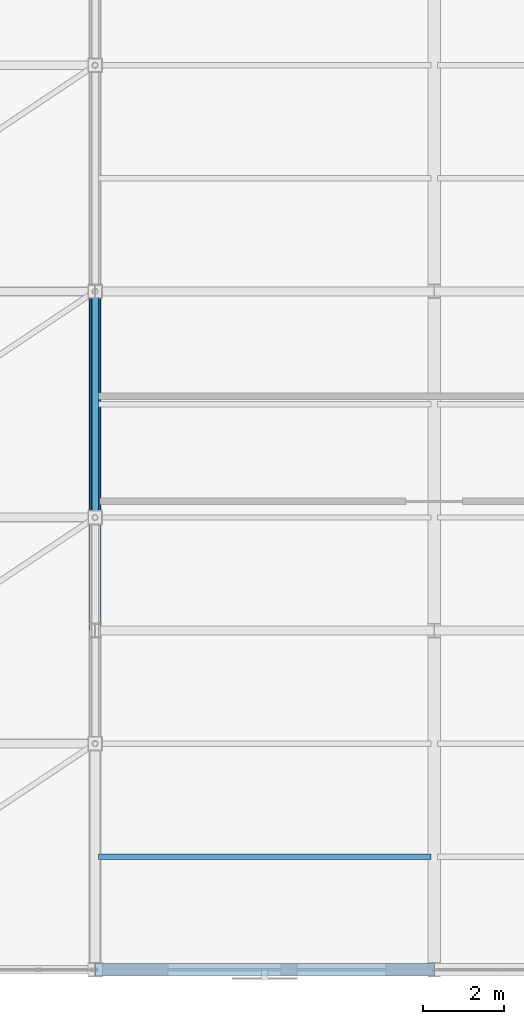
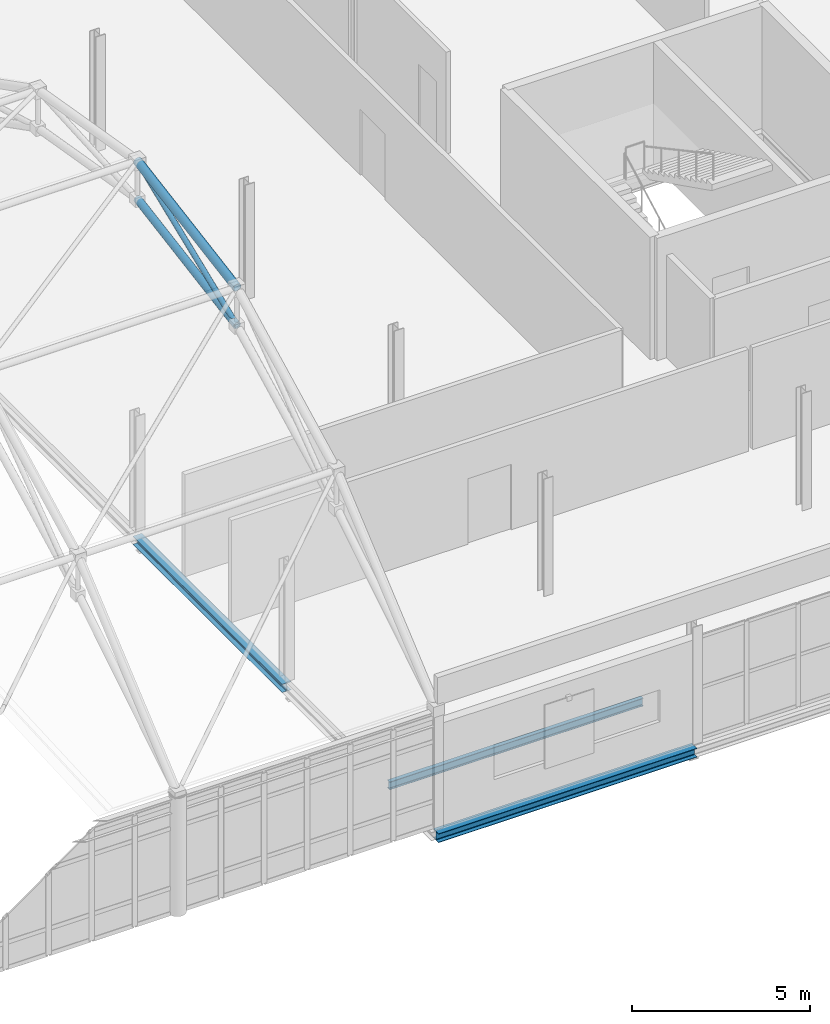
# One storey, part 84 of 184: 3 beams, 3 members.
"""IFC4 building model written with IfcOpenShell, lengths in metres."""

from ifc_helpers import new_model, si_unit, direction, frame, origin, origin_2d, place, context, subcontext, project, spatial, hollow_circle, i_section, extrude, material, material_profile, profile_set, type_object, element, save


model = new_model("IFC4")

# Units and contexts
model_context = context("Model", 3, precision=1e-05, world=origin(), true_north=direction((0.0, 1.0)))
body_context = subcontext(model_context, "Body", "Model", "MODEL_VIEW")
ifc_project = project(units=[si_unit("LENGTHUNIT", "METRE"), si_unit("AREAUNIT", "SQUARE_METRE"), si_unit("VOLUMEUNIT", "CUBIC_METRE"), si_unit("PLANEANGLEUNIT", "RADIAN"), si_unit("MASSUNIT", "GRAM", prefix="KILO")], contexts=[model_context])

# Site, building, storey
site_placement = place(None, origin())
site = spatial("IfcSite", under=ifc_project, at=site_placement, CompositionType="ELEMENT")
building_placement = place(site_placement, origin())
building = spatial("IfcBuilding", under=site, at=building_placement, Name="Qalvenar Corner Mobility Hub", CompositionType="ELEMENT")
storey_placement = place(building_placement, frame((0.0, 0.0, 9.0)))
storey = spatial("IfcBuildingStorey", under=building, at=storey_placement, Name="L02", CompositionType="ELEMENT", Elevation=9.0)

# Beams
ifc_material_1 = material(Name="Steel S355", Category="steel")
ifc_material_profile_1 = material_profile(ifc_material_1, i_section(OverallWidth=0.135009765625, OverallDepth=0.27001953125, WebThickness=0.006591796875, FlangeThickness=0.01025390625, FilletRadius=0.014892578125, at=origin_2d()), Name="IPE270")
ifc_profile_set_1 = profile_set([ifc_material_profile_1], Name="Steel S355")
beam_type_1 = type_object("IfcBeamType", Name="BM-JST270", PredefinedType="JOIST", material=ifc_profile_set_1)
beam_1_placement = place(storey_placement, frame((109.278076171875, 2.800048828125, -0.31494140625), z_axis=(1.0, 0.0, 0.0), x_axis=(0.0, 1.0, 0.0)))
element("IfcBeam", 1, at=beam_1_placement, inside=storey, type_object=beam_type_1, Name="Composite Floor Joist J-1751", PredefinedType="JOIST", context=body_context, shape_type="SweptSolid", body=[
    extrude(i_section(OverallWidth=0.135009765625, OverallDepth=0.27001953125, WebThickness=0.006591796875, FlangeThickness=0.01025390625, FilletRadius=0.014892578125, at=origin_2d()), origin(), (0.0, 0.0, 1.0), 8.243896484375),
])
ifc_material_profile_2 = material_profile(ifc_material_1, i_section(OverallWidth=0.300048828125, OverallDepth=0.2900390625, WebThickness=0.008544921875, FlangeThickness=0.013916015625, FilletRadius=0.027099609375, at=origin_2d()), Name="HEA300")
ifc_profile_set_2 = profile_set([ifc_material_profile_2], Name="Steel S355")
beam_type_2 = type_object("IfcBeamType", Name="BM-SPN300", PredefinedType="SPANDREL", material=ifc_profile_set_2)
beam_2_placement = place(storey_placement, frame((109.199951171875, 8.39990234375, -0.324951171875), z_axis=(0.0, 1.0, 0.0), x_axis=(-1.0, 0.0, 0.0)))
element("IfcBeam", 2, at=beam_2_placement, inside=storey, type_object=beam_type_2, Name="Primary Steel Girder GY-1712", PredefinedType="SPANDREL", context=body_context, shape_type="SweptSolid", body=[
    extrude(i_section(OverallWidth=0.300048828125, OverallDepth=0.2900390625, WebThickness=0.008544921875, FlangeThickness=0.013916015625, FilletRadius=0.027099609375, at=origin_2d()), origin(), (0.0, 0.0, 1.0), 8.400146484375),
])
ifc_material_profile_3 = material_profile(ifc_material_1, i_section(OverallWidth=0.300048828125, OverallDepth=0.31005859375, WebThickness=0.009033203125, FlangeThickness=0.015380859375, FilletRadius=0.027099609375, at=origin_2d()), Name="HEA320")
ifc_profile_set_3 = profile_set([ifc_material_profile_3], Name="Steel S355")
beam_type_3 = type_object("IfcBeamType", Name="BM-SPN320", PredefinedType="SPANDREL", material=ifc_profile_set_3)
beam_3_placement = place(storey_placement, frame((109.199951171875, 0.0, -0.3349609375), z_axis=(1.0, 0.0, 0.0), x_axis=(0.0, 1.0, 0.0)))
element("IfcBeam", 3, at=beam_3_placement, inside=storey, type_object=beam_type_3, Name="Primary Steel Girder GX-1669", PredefinedType="SPANDREL", context=body_context, shape_type="SweptSolid", body=[
    extrude(i_section(OverallWidth=0.300048828125, OverallDepth=0.31005859375, WebThickness=0.009033203125, FlangeThickness=0.015380859375, FilletRadius=0.027099609375, at=origin_2d()), origin(), (0.0, 0.0, 1.0), 8.400146484375),
])

# Members
ifc_material_2 = material(Name="Steel S355", Category="steel")
ifc_material_profile_4 = material_profile(ifc_material_2, hollow_circle(Radius=0.122314453125, WallThickness=0.0087890625, at=origin_2d()), Name="CHS244.5x8.8")
ifc_profile_set_4 = profile_set([ifc_material_profile_4], Name="Steel S355")
member_type_1 = type_object("IfcMemberType", Name="SF-CHD244", PredefinedType="CHORD", material=ifc_profile_set_4)
member_1_placement = place(storey_placement, frame((109.199951171875, 11.199951171875, 10.404296875), z_axis=(0.0, 0.985745292256, 0.168244520847), x_axis=(-1.0, 0.0, 0.0)))
element("IfcMember", 4, at=member_1_placement, inside=storey, type_object=member_type_1, Name="Space Frame Bottom Chord SFBC-0154", PredefinedType="CHORD", context=body_context, shape_type="SweptSolid", body=[
    extrude(hollow_circle(Radius=0.122314453125, WallThickness=0.0087890625, at=origin_2d()), origin(), (0.0, 0.0, 1.0), 5.68115234375),
])
ifc_material_profile_5 = material_profile(ifc_material_2, hollow_circle(Radius=0.136474609375, WallThickness=0.010009765625, at=origin_2d()), Name="CHS273x10")
ifc_profile_set_5 = profile_set([ifc_material_profile_5], Name="Steel S355")
member_type_2 = type_object("IfcMemberType", Name="SF-CHD273", PredefinedType="CHORD", material=ifc_profile_set_5)
member_2_placement = place(storey_placement, frame((109.199951171875, 11.199951171875, 11.704345703125), z_axis=(0.0, 0.985752418555, 0.1682027625), x_axis=(-1.0, 0.0, 0.0)))
element("IfcMember", 5, at=member_2_placement, inside=storey, type_object=member_type_2, Name="Space Frame Top Chord SFTC-0153", PredefinedType="CHORD", context=body_context, shape_type="SweptSolid", body=[
    extrude(hollow_circle(Radius=0.136474609375, WallThickness=0.010009765625, at=origin_2d()), origin(), (0.0, 0.0, 1.0), 5.68115234375),
])
ifc_material_profile_6 = material_profile(ifc_material_2, hollow_circle(Radius=0.084228515625, WallThickness=0.00634765625, at=origin_2d()), Name="CHS168.3x6.3")
ifc_profile_set_6 = profile_set([ifc_material_profile_6], Name="Steel S355")
member_type_3 = type_object("IfcMemberType", Name="SF-STR168", PredefinedType="STRUT", material=ifc_profile_set_6)
member_3_placement = place(storey_placement, frame((109.199951171875, 11.199951171875, 10.404296875), z_axis=(0.0, 0.927584374155, 0.37361374282), x_axis=(-1.0, 0.0, 0.0)))
element("IfcMember", 6, at=member_3_placement, inside=storey, type_object=member_type_3, Name="Space Frame Web Strut SFD-0155", PredefinedType="STRUT", context=body_context, shape_type="SweptSolid", body=[
    extrude(hollow_circle(Radius=0.084228515625, WallThickness=0.00634765625, at=origin_2d()), origin(), (0.0, 0.0, 1.0), 6.037353515625),
])

save(model, "model.ifc")
